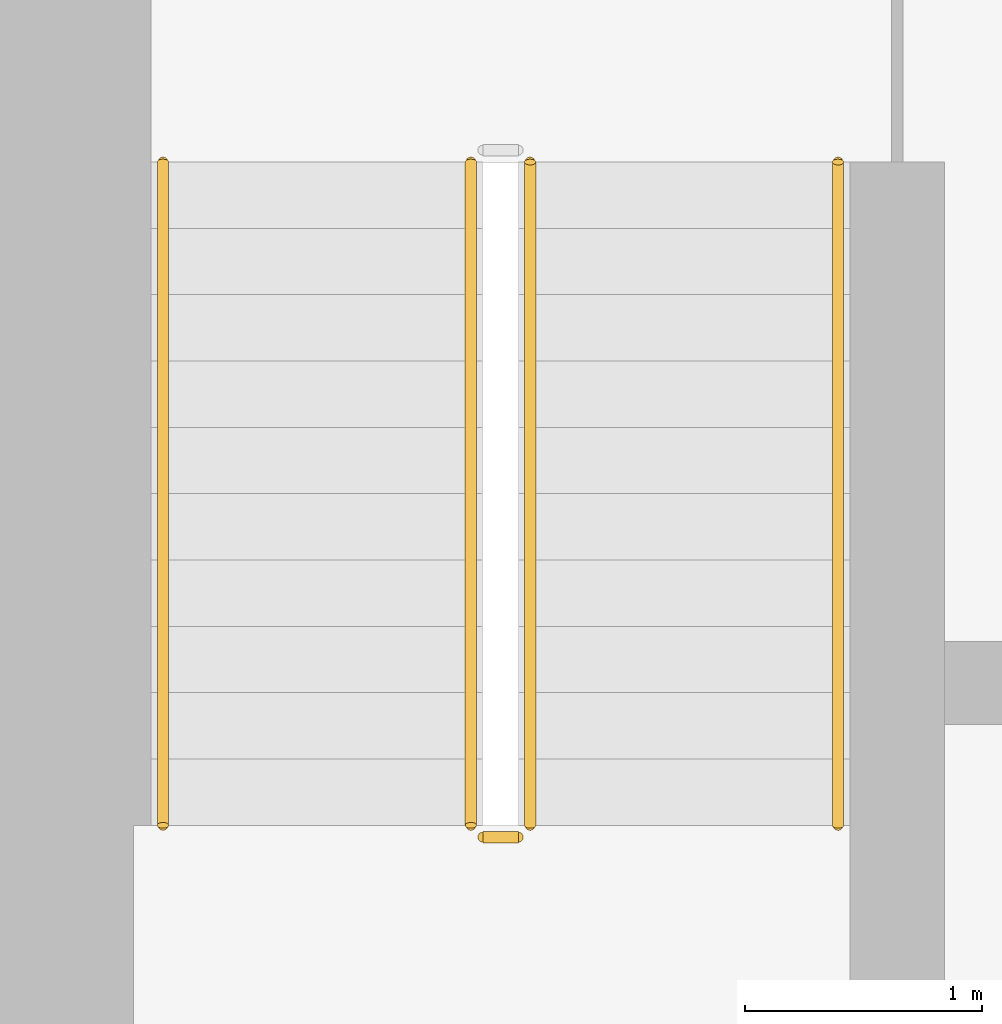
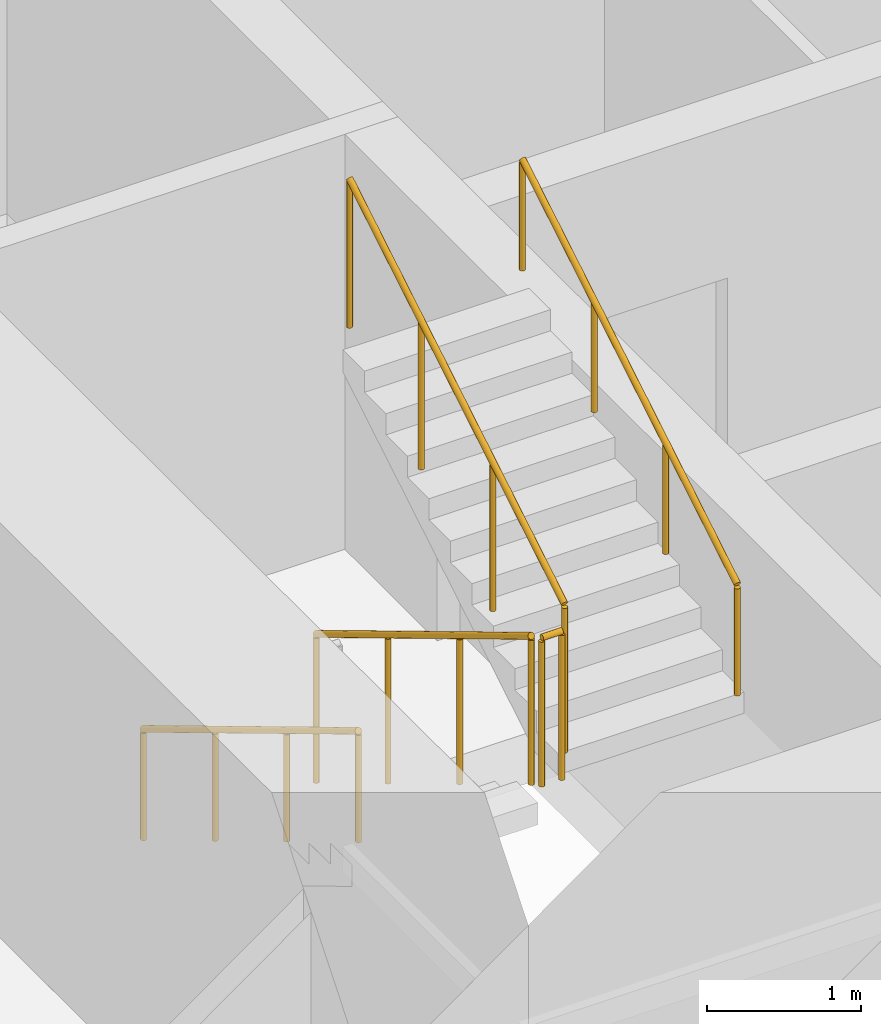
# One storey, part 20 of 26: 5 railings.
"""IFC4 building model written with IfcOpenShell, lengths in metres."""

import ifcopenshell
import ifcopenshell.guid

model = None  # the IFC model being written
_history = None  # IfcOwnerHistory: only IFC2X3 demands one
_inside = {}  # id of a spatial element -> (the spatial element, [elements in it])
_under = {}  # id of a project, library or spatial element -> (it, [spatial elements below it])
_declared = {}  # id of a project -> (the project, [libraries it declares])
_typed = {}  # id of a type object -> (the type object, [elements of that type])
_made_of = {}  # id of a material, layer set ... -> (it, [elements and type objects made of it])


def new_model(schema):
    """Start an empty IFC model of exactly this schema.

    Asked for "IFC4X3", IfcOpenShell would pick the latest addendum, in which some entities
    have other attributes; the version numbers below select the first issue.
    IFC2X3 requires an IfcOwnerHistory on every rooted entity: one is made here for all.
    """
    global model, _history
    if schema == "IFC4X3":
        model = ifcopenshell.file(schema_version=(4, 3, 0, 0))
    else:
        model = ifcopenshell.file(schema=schema)
    _inside.clear()
    _under.clear()
    _declared.clear()
    _typed.clear()
    _made_of.clear()
    _history = None
    if model.schema == "IFC2X3":
        org = make("IfcOrganization", Name="unknown")
        user = make(
            "IfcPersonAndOrganization",
            ThePerson=make("IfcPerson", FamilyName="unknown"),
            TheOrganization=org,
        )
        app = make(
            "IfcApplication",
            ApplicationDeveloper=org,
            Version="unknown",
            ApplicationFullName="unknown",
            ApplicationIdentifier="unknown",
        )
        _history = make(
            "IfcOwnerHistory",
            OwningUser=user,
            OwningApplication=app,
            ChangeAction="ADDED",
            CreationDate=0,
        )
    return model


def make(cls, **values):
    """One entity of the class cls with the attributes given. An attribute that is None is left unset."""
    return model.create_entity(
        cls, **{name: value for name, value in values.items() if value is not None}
    )


def rooted(cls, **values):
    """An entity with a GlobalId (a new one), such as an element, a storey or a relation."""
    return make(cls, GlobalId=ifcopenshell.guid.new(), OwnerHistory=_history, **values)


def si_unit(unit_type, name, prefix=None):
    """IfcSIUnit, for example si_unit("LENGTHUNIT", "METRE", prefix="MILLI")."""
    return make("IfcSIUnit", UnitType=unit_type, Prefix=prefix, Name=name)


def assignment(units):
    """IfcUnitAssignment: the units of a project."""
    return None if units is None else make("IfcUnitAssignment", Units=units)


def point(xyz):
    """IfcCartesianPoint."""
    return None if xyz is None else make("IfcCartesianPoint", Coordinates=xyz)


def direction(xyz):
    """IfcDirection."""
    return None if xyz is None else make("IfcDirection", DirectionRatios=xyz)


def frame(location, z_axis=None, x_axis=None):
    """IfcAxis2Placement3D, a coordinate frame: its origin and axes. An axis left out is left unset."""
    return make(
        "IfcAxis2Placement3D",
        Location=point(location),
        Axis=direction(z_axis),
        RefDirection=direction(x_axis),
    )


def frame_2d(location, x_axis=None):
    """IfcAxis2Placement2D, a coordinate frame in the plane: its origin and x axis."""
    return make(
        "IfcAxis2Placement2D", Location=point(location), RefDirection=direction(x_axis)
    )


def origin():
    """The frame at (0, 0, 0) with its axes left unset."""
    return frame((0.0, 0.0, 0.0))


def origin_2d():
    """The frame at (0, 0) in the plane with its x axis left unset."""
    return frame_2d((0.0, 0.0))


def place(relative_to, where):
    """IfcLocalPlacement: puts the frame where relative to a parent placement (None: the world)."""
    return make(
        "IfcLocalPlacement", PlacementRelTo=relative_to, RelativePlacement=where
    )


def context(
    kind, dimensions, precision=None, world=None, true_north=None, identifier=None
):
    """IfcGeometricRepresentationContext, for example the 3D "Model" context."""
    return make(
        "IfcGeometricRepresentationContext",
        ContextIdentifier=identifier,
        ContextType=kind,
        CoordinateSpaceDimension=dimensions,
        Precision=precision,
        WorldCoordinateSystem=world,
        TrueNorth=true_north,
    )


def subcontext(parent, identifier, kind, view, scale=None):
    """IfcGeometricRepresentationSubContext, for example "Body" below "Model"."""
    return make(
        "IfcGeometricRepresentationSubContext",
        ContextIdentifier=identifier,
        ContextType=kind,
        ParentContext=parent,
        TargetScale=scale,
        TargetView=view,
    )


def project(units=None, contexts=None):
    """IfcProject with its units and contexts."""
    return rooted(
        "IfcProject",
        Name="project",
        RepresentationContexts=contexts,
        UnitsInContext=assignment(units),
    )


def spatial(cls, under=None, at=None, **own):
    """A site, building, storey or space (cls), placed at a placement, below another one or the project."""
    s = rooted(cls, ObjectPlacement=at, **own)
    if under is not None:
        _under.setdefault(under.id(), (under, []))[1].append(s)
    return s


def profile(cls, at=None, kind="AREA", **sizes):
    """A parametric profile (cls). Its sizes go by their IFC names, for example OverallWidth=200.0."""
    return make(cls, ProfileType=kind, Position=at, **sizes)


def circle(**sizes):
    """IfcCircleProfileDef."""
    return profile("IfcCircleProfileDef", **sizes)


def extrude(swept, where, along, depth):
    """IfcExtrudedAreaSolid: the profile swept, set in the frame where, extruded along a direction by depth."""
    return make(
        "IfcExtrudedAreaSolid",
        SweptArea=swept,
        Position=where,
        ExtrudedDirection=direction(along),
        Depth=depth,
    )


def shape(context_of_items, identifier, shape_type, items):
    """IfcShapeRepresentation: the items that make up one representation, for example the "Body"."""
    return make(
        "IfcShapeRepresentation",
        ContextOfItems=context_of_items,
        RepresentationIdentifier=identifier,
        RepresentationType=shape_type,
        Items=items,
    )


def material(Name=None, Category=None):
    """IfcMaterial."""
    return make("IfcMaterial", Name=Name, Category=Category)


def made_of(thing, what):
    """Note that an element or type object is made of a material, layer set ...; save() writes the relation."""
    if what is not None:
        _made_of.setdefault(what.id(), (what, []))[1].append(thing)
    return thing


def type_object(cls, material=None, **own):
    """A type object (cls), such as IfcWallType, which elements share."""
    return made_of(rooted(cls, **own), material)


def element(
    cls,
    number,
    at=None,
    inside=None,
    cuts=None,
    type_object=None,
    material=None,
    context=None,
    identifier="Body",
    shape_type=None,
    held_by="IfcProductDefinitionShape",
    body=None,
    shapes=None,
    **own,
):
    """One element of the class cls, such as IfcWall. Its Tag is "e" and its number.

    at: its placement. inside: the storey or other place that contains it. cuts: it is an
    opening in that element (IfcRelVoidsElement). A single representation is given by context,
    identifier, shape_type and body (its items); several are given by shapes. held_by: the class
    of the entity that holds the representations. save() writes the other relations.
    """
    e = rooted(cls, Tag="e%d" % number, ObjectPlacement=at, **own)
    if body is not None:
        shapes = [shape(context, identifier, shape_type, body)]
    if shapes is not None:
        e.Representation = make(held_by, Representations=shapes)
    if inside is not None:
        _inside.setdefault(inside.id(), (inside, []))[1].append(e)
    if cuts is not None:
        rooted(
            "IfcRelVoidsElement", RelatingBuildingElement=cuts, RelatedOpeningElement=e
        )
    if type_object is not None:
        _typed.setdefault(type_object.id(), (type_object, []))[1].append(e)
    return made_of(e, material)


def aggregate(whole, parts):
    """IfcRelAggregates: a whole, such as a stair, and the parts it consists of."""
    return rooted("IfcRelAggregates", RelatingObject=whole, RelatedObjects=parts)


def save(model, path):
    """Write the relations noted so far, then the file.

    IfcRelAggregates (storeys below a building ...), IfcRelContainedInSpatialStructure (elements
    in a storey), IfcRelDefinesByType, IfcRelAssociatesMaterial and IfcRelDeclares: one each for
    every whole, place, type object, material and project.
    """
    for whole, parts in _under.values():
        aggregate(whole, parts)
    for where, things in _inside.values():
        rooted(
            "IfcRelContainedInSpatialStructure",
            RelatedElements=things,
            RelatingStructure=where,
        )
    for kind, things in _typed.values():
        rooted("IfcRelDefinesByType", RelatedObjects=things, RelatingType=kind)
    for what, things in _made_of.values():
        rooted("IfcRelAssociatesMaterial", RelatedObjects=things, RelatingMaterial=what)
    for by, libraries in _declared.values():
        rooted("IfcRelDeclares", RelatingContext=by, RelatedDefinitions=libraries)
    model.write(path)


model = new_model("IFC4")

# Units and contexts
model_context = context("Model", 3, precision=1e-05, world=origin(), true_north=direction((0.0, 1.0)))
body_context = subcontext(model_context, "Body", "Model", "MODEL_VIEW")
ifc_project = project(units=[si_unit("LENGTHUNIT", "METRE"), si_unit("AREAUNIT", "SQUARE_METRE"), si_unit("VOLUMEUNIT", "CUBIC_METRE"), si_unit("PLANEANGLEUNIT", "RADIAN"), si_unit("MASSUNIT", "GRAM", prefix="KILO")], contexts=[model_context])

# Site, building, storey
site_placement = place(None, origin())
site = spatial("IfcSite", under=ifc_project, at=site_placement, CompositionType="ELEMENT")
building_placement = place(site_placement, origin())
building = spatial("IfcBuilding", under=site, at=building_placement, Name="Dongbaek Canopy Tower", CompositionType="ELEMENT")
storey_placement = place(building_placement, frame((0.0, 0.0, 66.199951171875)))
storey = spatial("IfcBuildingStorey", under=building, at=storey_placement, Name="L12", CompositionType="ELEMENT", Elevation=66.199951171875)

# Railings
ifc_material_1 = material(Name="Stainless steel tube and balusters", Category="steel")
railing_type_1 = type_object("IfcRailingType", Name="Stair guard 1200", PredefinedType="GUARDRAIL", material=ifc_material_1)
railing_1_placement = place(storey_placement, frame((-11.449951171875, -4.699951171875, 0.168212890625)))
element("IfcRailing", 1, at=railing_1_placement, inside=storey, type_object=railing_type_1, Name="L12 ST-D stair guard 1", PredefinedType="GUARDRAIL", context=body_context, shape_type="SweptSolid", body=[
    extrude(circle(Radius=0.02392578125, at=origin_2d()), frame((0.0, 0.0, 1.17578125), z_axis=(0.0, -0.857242210791, 0.514913383045), x_axis=(1.0, 0.0, 0.0)), (0.0, 0.0, 1.0), 3.266357421875),
    extrude(circle(Radius=0.02099609375, at=origin_2d()), origin(), (0.0, 0.0, 1.0), 1.15185546875),
    extrude(circle(Radius=0.02099609375, at=origin_2d()), frame((0.0, -0.933349609375, 0.560546875)), (0.0, 0.0, 1.0), 1.15185546875),
    extrude(circle(Radius=0.02099609375, at=origin_2d()), frame((0.0, -1.86669921875, 1.121337890625)), (0.0, 0.0, 1.0), 1.15185546875),
    extrude(circle(Radius=0.02099609375, at=origin_2d()), frame((0.0, -2.800048828125, 1.681884765625)), (0.0, 0.0, 1.0), 1.15185546875),
])
railing_2_placement = place(storey_placement, frame((-11.39990234375, -7.550048828125, 1.85009765625)))
element("IfcRailing", 2, at=railing_2_placement, inside=storey, type_object=railing_type_1, Name="L12 ST-D stair guard 2", PredefinedType="GUARDRAIL", context=body_context, shape_type="SweptSolid", body=[
    extrude(circle(Radius=0.02392578125, at=origin_2d()), frame((0.0, 0.0, 1.17578125), z_axis=(1.0, 0.0, 0.0), x_axis=(0.0, 1.0, 0.0)), (0.0, 0.0, 1.0), 0.14990234375),
    extrude(circle(Radius=0.02099609375, at=origin_2d()), origin(), (0.0, 0.0, 1.0), 1.15185546875),
    extrude(circle(Radius=0.02099609375, at=origin_2d()), frame((0.14990234375, 0.0, 0.0)), (0.0, 0.0, 1.0), 1.15185546875),
])
railing_3_placement = place(storey_placement, frame((-11.199951171875, -7.5, 2.018310546875)))
element("IfcRailing", 3, at=railing_3_placement, inside=storey, type_object=railing_type_1, Name="L12 ST-D stair guard 3", PredefinedType="GUARDRAIL", context=body_context, shape_type="SweptSolid", body=[
    extrude(circle(Radius=0.02392578125, at=origin_2d()), frame((0.0, 0.0, 1.17578125), z_axis=(0.0, 0.857275202839, 0.514858452973), x_axis=(-1.0, 0.0, 0.0)), (0.0, 0.0, 1.0), 3.26611328125),
    extrude(circle(Radius=0.02099609375, at=origin_2d()), origin(), (0.0, 0.0, 1.0), 1.15185546875),
    extrude(circle(Radius=0.02099609375, at=origin_2d()), frame((0.0, 0.933349609375, 0.560546875)), (0.0, 0.0, 1.0), 1.15185546875),
    extrude(circle(Radius=0.02099609375, at=origin_2d()), frame((0.0, 1.86669921875, 1.12109375)), (0.0, 0.0, 1.0), 1.15185546875),
    extrude(circle(Radius=0.02099609375, at=origin_2d()), frame((0.0, 2.800048828125, 1.681640625)), (0.0, 0.0, 1.0), 1.15185546875),
])
ifc_material_2 = material(Name="Stainless steel tube", Category="steel")
railing_type_2 = type_object("IfcRailingType", Name="Stair handrail 900", PredefinedType="HANDRAIL", material=ifc_material_2)
railing_4_placement = place(storey_placement, frame((-12.75, -4.699951171875, 0.168212890625)))
element("IfcRailing", 4, at=railing_4_placement, inside=storey, type_object=railing_type_2, Name="L12 ST-D stair handrail 1", PredefinedType="HANDRAIL", context=body_context, shape_type="SweptSolid", body=[
    extrude(circle(Radius=0.02392578125, at=origin_2d()), frame((0.0, 0.0, 0.8759765625), z_axis=(0.0, -0.857242210791, 0.514913383045), x_axis=(1.0, 0.0, 0.0)), (0.0, 0.0, 1.0), 3.266357421875),
    extrude(circle(Radius=0.02099609375, at=origin_2d()), origin(), (0.0, 0.0, 1.0), 0.851806640625),
    extrude(circle(Radius=0.02099609375, at=origin_2d()), frame((0.0, -0.933349609375, 0.560546875)), (0.0, 0.0, 1.0), 0.851806640625),
    extrude(circle(Radius=0.02099609375, at=origin_2d()), frame((0.0, -1.86669921875, 1.121337890625)), (0.0, 0.0, 1.0), 0.851806640625),
    extrude(circle(Radius=0.02099609375, at=origin_2d()), frame((0.0, -2.800048828125, 1.681884765625)), (0.0, 0.0, 1.0), 0.851806640625),
])
railing_5_placement = place(storey_placement, frame((-9.89990234375, -7.5, 2.018310546875)))
element("IfcRailing", 5, at=railing_5_placement, inside=storey, type_object=railing_type_2, Name="L12 ST-D stair handrail 2", PredefinedType="HANDRAIL", context=body_context, shape_type="SweptSolid", body=[
    extrude(circle(Radius=0.02392578125, at=origin_2d()), frame((0.0, 0.0, 0.8759765625), z_axis=(0.0, 0.857275202839, 0.514858452973), x_axis=(-1.0, 0.0, 0.0)), (0.0, 0.0, 1.0), 3.26611328125),
    extrude(circle(Radius=0.02099609375, at=origin_2d()), origin(), (0.0, 0.0, 1.0), 0.851806640625),
    extrude(circle(Radius=0.02099609375, at=origin_2d()), frame((0.0, 0.933349609375, 0.560546875)), (0.0, 0.0, 1.0), 0.851806640625),
    extrude(circle(Radius=0.02099609375, at=origin_2d()), frame((0.0, 1.86669921875, 1.12109375)), (0.0, 0.0, 1.0), 0.851806640625),
    extrude(circle(Radius=0.02099609375, at=origin_2d()), frame((0.0, 2.800048828125, 1.681640625)), (0.0, 0.0, 1.0), 0.851806640625),
])

save(model, "model.ifc")
